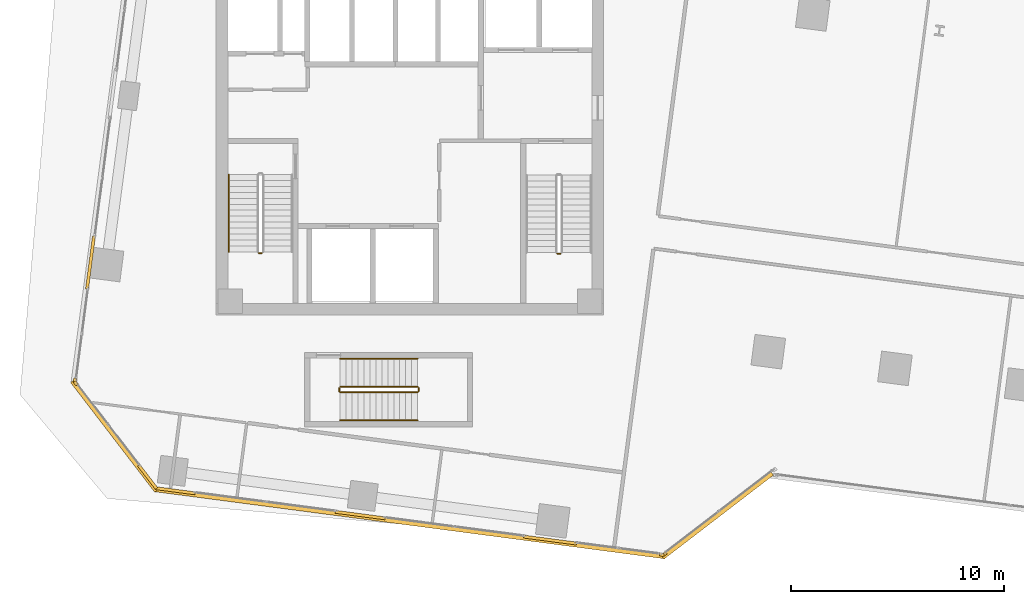
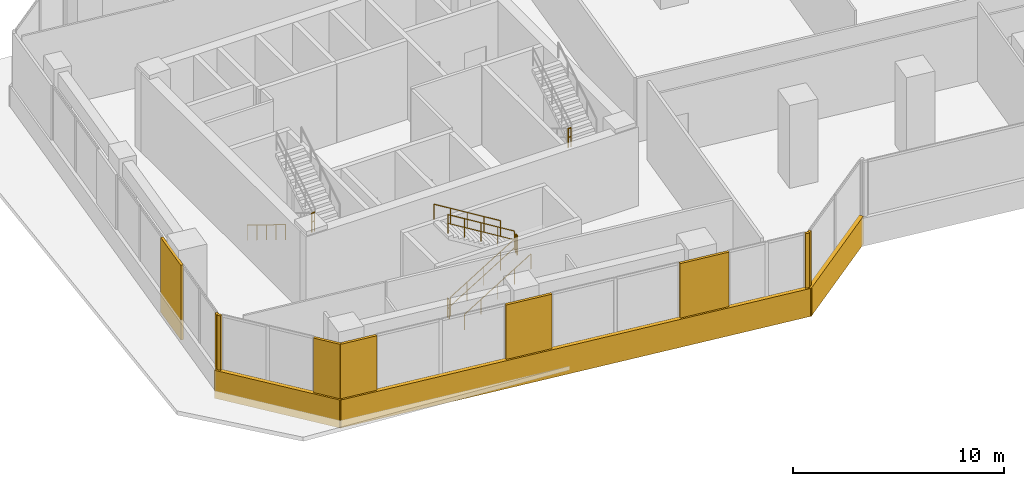
# One storey, part 21 of 24: 12 coverings, 9 railings.
"""IFC4 building model written with IfcOpenShell, lengths in metres."""

from ifc_helpers import new_model, si_unit, direction, frame, origin, origin_2d, place, context, subcontext, project, spatial, rectangle, circle, extrude, source, transform, mapped, material, layer, layer_set, type_object, element, save


model = new_model("IFC4")

# Units and contexts
model_context = context("Model", 3, precision=1e-05, world=origin(), true_north=direction((0.0, 1.0)))
body_context = subcontext(model_context, "Body", "Model", "MODEL_VIEW")
ifc_project = project(units=[si_unit("LENGTHUNIT", "METRE"), si_unit("AREAUNIT", "SQUARE_METRE"), si_unit("VOLUMEUNIT", "CUBIC_METRE"), si_unit("PLANEANGLEUNIT", "RADIAN"), si_unit("MASSUNIT", "GRAM", prefix="KILO")], contexts=[model_context])

# Site, building, storey
site_placement = place(None, origin())
site = spatial("IfcSite", under=ifc_project, at=site_placement, CompositionType="ELEMENT")
building_placement = place(site_placement, origin())
building = spatial("IfcBuilding", under=site, at=building_placement, Name="Torre Montelarca", CompositionType="ELEMENT")
storey_placement = place(building_placement, frame((0.0, 0.0, 61.60009765625)))
storey = spatial("IfcBuildingStorey", under=building, at=storey_placement, Name="L13", CompositionType="ELEMENT", Elevation=61.60009765625)

# Railings
ifc_material_1 = material(Name="Powder-coated steel ASTM A500 Grade C", Category="steel")
railing_type_1 = type_object("IfcRailingType", Name="RL-GUARD-1100", PredefinedType="BALUSTRADE", material=ifc_material_1)
for number, where, name in (
    (1, (10.89990234375, 26.81005859375, 2.39990234375), "L13 ST1 stair guard 2"),
    (2, (24.919921875, 26.780029296875, 2.39990234375), "L13 ST2 stair guard 2"),
):
    element("IfcRailing", number, at=place(storey_placement, frame(where)), inside=storey, type_object=railing_type_1, Name=name, PredefinedType="BALUSTRADE", context=body_context, shape_type="SweptSolid", body=[
        extrude(circle(Radius=0.02392578125, at=origin_2d()), frame((0.0, 0.0, 1.076171875), z_axis=(1.0, 0.0, 0.0), x_axis=(0.0, 1.0, 0.0)), (0.0, 0.0, 1.0), 0.150146484375),
        extrude(circle(Radius=0.02099609375, at=origin_2d()), frame((0.0, 0.0, 0.572021484375), z_axis=(1.0, 0.0, 0.0), x_axis=(0.0, 1.0, 0.0)), (0.0, 0.0, 1.0), 0.150146484375),
        extrude(circle(Radius=0.02099609375, at=origin_2d()), origin(), (0.0, 0.0, 1.0), 1.052001953125),
        extrude(circle(Radius=0.02099609375, at=origin_2d()), frame((0.150146484375, 0.0, 0.0)), (0.0, 0.0, 1.0), 1.052001953125),
    ])
railing_1_placement = place(storey_placement, frame((14.719970703125, 20.27001953125, 0.17138671875)))
element("IfcRailing", 3, at=railing_1_placement, inside=storey, type_object=railing_type_1, Name="L13 ST3 stair guard 1", PredefinedType="BALUSTRADE", context=body_context, shape_type="SweptSolid", body=[
    extrude(circle(Radius=0.02392578125, at=origin_2d()), frame((0.0, 0.0, 1.076171875), z_axis=(0.852865859571, 0.0, 0.52213008492), x_axis=(0.0, 1.0, 0.0)), (0.0, 0.0, 1.0), 4.26806640625),
    extrude(circle(Radius=0.02099609375, at=origin_2d()), frame((0.0, 0.0, 0.572021484375), z_axis=(0.852865859571, 0.0, 0.52213008492), x_axis=(0.0, 1.0, 0.0)), (0.0, 0.0, 1.0), 4.26806640625),
    extrude(circle(Radius=0.02099609375, at=origin_2d()), origin(), (0.0, 0.0, 1.0), 1.052001953125),
    extrude(circle(Radius=0.02099609375, at=origin_2d()), frame((0.91015625, 0.0, 0.55712890625)), (0.0, 0.0, 1.0), 1.052001953125),
    extrude(circle(Radius=0.02099609375, at=origin_2d()), frame((1.820068359375, 0.0, 1.1142578125)), (0.0, 0.0, 1.0), 1.052001953125),
    extrude(circle(Radius=0.02099609375, at=origin_2d()), frame((2.72998046875, 0.0, 1.67138671875)), (0.0, 0.0, 1.0), 1.052001953125),
    extrude(circle(Radius=0.02099609375, at=origin_2d()), frame((3.64013671875, 0.0, 2.228515625)), (0.0, 0.0, 1.0), 1.052001953125),
])
railing_2_placement = place(storey_placement, frame((18.409912109375, 20.320068359375, 2.39990234375)))
element("IfcRailing", 4, at=railing_2_placement, inside=storey, type_object=railing_type_1, Name="L13 ST3 stair guard 2", PredefinedType="BALUSTRADE", context=body_context, shape_type="SweptSolid", body=[
    extrude(circle(Radius=0.02392578125, at=origin_2d()), frame((0.0, 0.0, 1.076171875), z_axis=(0.0, 1.0, 0.0), x_axis=(-1.0, 0.0, 0.0)), (0.0, 0.0, 1.0), 0.14990234375),
    extrude(circle(Radius=0.02099609375, at=origin_2d()), frame((0.0, 0.0, 0.572021484375), z_axis=(0.0, 1.0, 0.0), x_axis=(-1.0, 0.0, 0.0)), (0.0, 0.0, 1.0), 0.14990234375),
    extrude(circle(Radius=0.02099609375, at=origin_2d()), origin(), (0.0, 0.0, 1.0), 1.052001953125),
    extrude(circle(Radius=0.02099609375, at=origin_2d()), frame((0.0, 0.14990234375, 0.0)), (0.0, 0.0, 1.0), 1.052001953125),
])
railing_3_placement = place(storey_placement, frame((18.360107421875, 20.52001953125, 2.5712890625)))
element("IfcRailing", 5, at=railing_3_placement, inside=storey, type_object=railing_type_1, Name="L13 ST3 stair guard 3", PredefinedType="BALUSTRADE", context=body_context, shape_type="SweptSolid", body=[
    extrude(circle(Radius=0.02392578125, at=origin_2d()), frame((0.0, 0.0, 1.076171875), z_axis=(-0.852865859571, 0.0, 0.52213008492), x_axis=(0.0, -1.0, 0.0)), (0.0, 0.0, 1.0), 4.26806640625),
    extrude(circle(Radius=0.02099609375, at=origin_2d()), frame((0.0, 0.0, 0.572021484375), z_axis=(-0.852865859571, 0.0, 0.52213008492), x_axis=(0.0, -1.0, 0.0)), (0.0, 0.0, 1.0), 4.26806640625),
    extrude(circle(Radius=0.02099609375, at=origin_2d()), origin(), (0.0, 0.0, 1.0), 1.052001953125),
    extrude(circle(Radius=0.02099609375, at=origin_2d()), frame((-0.91015625, 0.0, 0.55712890625)), (0.0, 0.0, 1.0), 1.052001953125),
    extrude(circle(Radius=0.02099609375, at=origin_2d()), frame((-1.820068359375, 0.0, 1.1142578125)), (0.0, 0.0, 1.0), 1.052001953125),
    extrude(circle(Radius=0.02099609375, at=origin_2d()), frame((-2.72998046875, 0.0, 1.67138671875)), (0.0, 0.0, 1.0), 1.052001953125),
    extrude(circle(Radius=0.02099609375, at=origin_2d()), frame((-3.64013671875, 0.0, 2.228515625)), (0.0, 0.0, 1.0), 1.052001953125),
])
railing_4_placement = place(storey_placement, frame((14.669921875, 20.320068359375, 0.0)))
element("IfcRailing", 6, at=railing_4_placement, inside=storey, type_object=railing_type_1, Name="L13 ST3 stair guard 4", PredefinedType="BALUSTRADE", context=body_context, shape_type="SweptSolid", body=[
    extrude(circle(Radius=0.02392578125, at=origin_2d()), frame((0.0, 0.0, 1.076171875), z_axis=(0.0, 1.0, 0.0), x_axis=(-1.0, 0.0, 0.0)), (0.0, 0.0, 1.0), 0.14990234375),
    extrude(circle(Radius=0.02099609375, at=origin_2d()), frame((0.0, 0.0, 0.572021484375), z_axis=(0.0, 1.0, 0.0), x_axis=(-1.0, 0.0, 0.0)), (0.0, 0.0, 1.0), 0.14990234375),
    extrude(circle(Radius=0.02099609375, at=origin_2d()), origin(), (0.0, 0.0, 1.0), 1.052001953125),
    extrude(circle(Radius=0.02099609375, at=origin_2d()), frame((0.0, 0.14990234375, 0.0)), (0.0, 0.0, 1.0), 1.052001953125),
])
ifc_material_2 = material(Name="Brushed stainless steel AISI 316", Category="steel")
railing_type_2 = type_object("IfcRailingType", Name="RL-HANDRAIL-900", PredefinedType="HANDRAIL", material=ifc_material_2)
railing_5_placement = place(storey_placement, frame((9.5, 30.5, 0.17138671875)))
element("IfcRailing", 7, at=railing_5_placement, inside=storey, type_object=railing_type_2, Name="L13 ST1 stair handrail 1", PredefinedType="HANDRAIL", context=body_context, shape_type="SweptSolid", body=[
    extrude(circle(Radius=0.02392578125, at=origin_2d()), frame((0.0, 0.0, 0.8759765625), z_axis=(0.0, -0.852850264322, 0.5221555579), x_axis=(1.0, 0.0, 0.0)), (0.0, 0.0, 1.0), 4.267822265625),
    extrude(circle(Radius=0.02099609375, at=origin_2d()), origin(), (0.0, 0.0, 1.0), 0.851806640625),
    extrude(circle(Radius=0.02099609375, at=origin_2d()), frame((0.0, -0.909912109375, 0.55712890625)), (0.0, 0.0, 1.0), 0.851806640625),
    extrude(circle(Radius=0.02099609375, at=origin_2d()), frame((0.0, -1.81982421875, 1.1142578125)), (0.0, 0.0, 1.0), 0.851806640625),
    extrude(circle(Radius=0.02099609375, at=origin_2d()), frame((0.0, -2.72998046875, 1.67138671875)), (0.0, 0.0, 1.0), 0.851806640625),
    extrude(circle(Radius=0.02099609375, at=origin_2d()), frame((0.0, -3.639892578125, 2.228515625)), (0.0, 0.0, 1.0), 0.851806640625),
])
railing_6_placement = place(storey_placement, frame((14.719970703125, 18.949951171875, 0.17138671875)))
element("IfcRailing", 8, at=railing_6_placement, inside=storey, type_object=railing_type_2, Name="L13 ST3 stair handrail 1", PredefinedType="HANDRAIL", context=body_context, shape_type="SweptSolid", body=[
    extrude(circle(Radius=0.02392578125, at=origin_2d()), frame((0.0, 0.0, 0.8759765625), z_axis=(0.852865859571, 0.0, 0.52213008492), x_axis=(0.0, 1.0, 0.0)), (0.0, 0.0, 1.0), 4.26806640625),
    extrude(circle(Radius=0.02099609375, at=origin_2d()), origin(), (0.0, 0.0, 1.0), 0.851806640625),
    extrude(circle(Radius=0.02099609375, at=origin_2d()), frame((0.91015625, 0.0, 0.55712890625)), (0.0, 0.0, 1.0), 0.851806640625),
    extrude(circle(Radius=0.02099609375, at=origin_2d()), frame((1.820068359375, 0.0, 1.1142578125)), (0.0, 0.0, 1.0), 0.851806640625),
    extrude(circle(Radius=0.02099609375, at=origin_2d()), frame((2.72998046875, 0.0, 1.67138671875)), (0.0, 0.0, 1.0), 0.851806640625),
    extrude(circle(Radius=0.02099609375, at=origin_2d()), frame((3.64013671875, 0.0, 2.228515625)), (0.0, 0.0, 1.0), 0.851806640625),
])
railing_7_placement = place(storey_placement, frame((18.360107421875, 21.840087890625, 2.5712890625)))
element("IfcRailing", 9, at=railing_7_placement, inside=storey, type_object=railing_type_2, Name="L13 ST3 stair handrail 2", PredefinedType="HANDRAIL", context=body_context, shape_type="SweptSolid", body=[
    extrude(circle(Radius=0.02392578125, at=origin_2d()), frame((0.0, 0.0, 0.8759765625), z_axis=(-0.852865859571, 0.0, 0.52213008492), x_axis=(0.0, -1.0, 0.0)), (0.0, 0.0, 1.0), 4.26806640625),
    extrude(circle(Radius=0.02099609375, at=origin_2d()), origin(), (0.0, 0.0, 1.0), 0.851806640625),
    extrude(circle(Radius=0.02099609375, at=origin_2d()), frame((-0.91015625, 0.0, 0.55712890625)), (0.0, 0.0, 1.0), 0.851806640625),
    extrude(circle(Radius=0.02099609375, at=origin_2d()), frame((-1.820068359375, 0.0, 1.1142578125)), (0.0, 0.0, 1.0), 0.851806640625),
    extrude(circle(Radius=0.02099609375, at=origin_2d()), frame((-2.72998046875, 0.0, 1.67138671875)), (0.0, 0.0, 1.0), 0.851806640625),
    extrude(circle(Radius=0.02099609375, at=origin_2d()), frame((-3.64013671875, 0.0, 2.228515625)), (0.0, 0.0, 1.0), 0.851806640625),
])

# Coverings
ifc_material_3 = material(Name="Bush-hammered warm white precast concrete C45/55", Category="concrete")
ifc_layer = layer(ifc_material_3, 0.139892578125, Name="Bush-hammered warm white precast concrete C45/55", Category="concrete")
ifc_layer_set = layer_set([ifc_layer], Name="Bush-hammered warm white precast concrete C45/55")
covering_type = type_object("IfcCoveringType", Name="COV-TRAY-CLAD", PredefinedType="CLADDING", material=ifc_layer_set)
shared_shape_1 = source(origin(), body_context, "Body", "SweptSolid", [
    extrude(rectangle(XDim=1.864013671875, YDim=0.139892578125, at=origin_2d()), origin(), (0.0, 0.0, 1.0), 4.320068359375),
])
covering_1_placement = place(storey_placement, frame((6.989013671875, 15.64404296875, 0.0), z_axis=(0.0, 0.0, 1.0), x_axis=(0.99144531699, -0.130522731424, 0.0)))
element("IfcCovering", 10, at=covering_1_placement, inside=storey, type_object=covering_type, Name="L13 Architectural Column Pier Cladding E01-1", PredefinedType="CLADDING", context=body_context, shape_type="MappedRepresentation", body=[
    mapped(shared_shape_1, transform((0.0, 0.0, 0.0), scale=1.0)),
])
shared_shape_2 = source(origin(), body_context, "Body", "SweptSolid", [
    extrude(rectangle(XDim=2.360107421875, YDim=0.139892578125, at=origin_2d()), origin(), (0.0, 0.0, 1.0), 4.320068359375),
])
covering_2_placement = place(storey_placement, frame((15.666015625, 14.501708984375, 0.0), z_axis=(0.0, 0.0, 1.0), x_axis=(0.99144531699, -0.130522731424, 0.0)))
element("IfcCovering", 11, at=covering_2_placement, inside=storey, type_object=covering_type, Name="L13 Architectural Column Pier Cladding E01-2", PredefinedType="CLADDING", context=body_context, shape_type="MappedRepresentation", body=[
    mapped(shared_shape_2, transform((0.0, 0.0, 0.0), scale=1.0)),
])
shared_shape_3 = source(origin(), body_context, "Body", "SweptSolid", [
    extrude(rectangle(XDim=2.510009765625, YDim=0.139892578125, at=origin_2d()), origin(), (0.0, 0.0, 1.0), 4.320068359375),
])
for number, where, z_axis, x_axis, name in (
    (12, (24.589111328125, 13.3271484375, 0.0), (0.0, 0.0, 1.0), (0.99144531699, -0.130522731424, 0.0), "L13 Architectural Column Pier Cladding E01-3"),
    (13, (2.99658203125, 26.366943359375, 0.0), (0.0, 0.0, 1.0), (-0.130527922618, -0.991444633561, 0.0), "L13 Architectural Column Pier Cladding E10-4"),
):
    element("IfcCovering", number, at=place(storey_placement, frame(where, z_axis=z_axis, x_axis=x_axis)), inside=storey, type_object=covering_type, Name=name, PredefinedType="CLADDING", context=body_context, shape_type="MappedRepresentation", body=[
        mapped(shared_shape_3, transform((0.0, 0.0, 0.0), scale=1.0)),
    ])
shared_shape_4 = source(origin(), body_context, "Body", "SweptSolid", [
    extrude(rectangle(XDim=0.199951171875, YDim=0.139892578125, at=origin_2d()), origin(), (0.0, 0.0, 1.0), 4.320068359375),
])
for number, where, z_axis, x_axis, name in (
    (14, (29.828125, 12.637451171875, 0.0), (0.0, 0.0, 1.0), (0.99144531699, -0.130522731424, 0.0), "L13 Architectural Column Pier Cladding E01-4"),
    (15, (29.96826171875, 12.6748046875, 0.0), (0.0, 0.0, 1.0), (0.793349090315, 0.608766967645, 0.0), "L13 Architectural Column Pier Cladding E02-1"),
    (16, (2.267578125, 20.83056640625, 0.0), (0.0, 0.0, 1.0), (-0.130527922618, -0.991444633561, 0.0), "L13 Architectural Column Pier Cladding E10-5"),
    (17, (2.30517578125, 20.6904296875, 0.0), (0.0, 0.0, 1.0), (0.608773890899, -0.793343777791, 0.0), "L13 Architectural Column Pier Cladding E11-1"),
):
    element("IfcCovering", number, at=place(storey_placement, frame(where, z_axis=z_axis, x_axis=x_axis)), inside=storey, type_object=covering_type, Name=name, PredefinedType="CLADDING", context=body_context, shape_type="MappedRepresentation", body=[
        mapped(shared_shape_4, transform((0.0, 0.0, 0.0), scale=1.0)),
    ])
shared_shape_5 = source(origin(), body_context, "Body", "SweptSolid", [
    extrude(rectangle(XDim=24.219970703125, YDim=0.219970703125, at=origin_2d()), origin(), (0.0, 0.0, 1.0), 1.6201171875),
])
covering_3_placement = place(storey_placement, frame((17.98828125, 14.135498046875, -0.4501953125), z_axis=(0.0, 0.0, 1.0), x_axis=(0.99144531699, -0.130522731424, 0.0)))
element("IfcCovering", 18, at=covering_3_placement, inside=storey, type_object=covering_type, Name="L13 Architectural White Spandrel Tray Band TRYBOT-01", PredefinedType="CLADDING", context=body_context, shape_type="MappedRepresentation", body=[
    mapped(shared_shape_5, transform((0.0, 0.0, 0.0), scale=1.0)),
])
shared_shape_6 = source(origin(), body_context, "Body", "SweptSolid", [
    extrude(rectangle(XDim=6.48388671875, YDim=0.219970703125, at=origin_2d()), origin(), (0.0, 0.0, 1.0), 1.6201171875),
])
for number, where, z_axis, x_axis, name in (
    (19, (32.437255859375, 14.493896484375, -0.4501953125), (0.0, 0.0, 1.0), (0.793352277801, 0.608762813671, 0.0), "L13 Architectural White Spandrel Tray Band TRYBOT-02"),
    (20, (4.1240234375, 18.22119140625, -0.4501953125), (0.0, 0.0, 1.0), (0.608765582989, -0.793350152813, 0.0), "L13 Architectural White Spandrel Tray Band TRYBOT-11"),
):
    element("IfcCovering", number, at=place(storey_placement, frame(where, z_axis=z_axis, x_axis=x_axis)), inside=storey, type_object=covering_type, Name=name, PredefinedType="CLADDING", context=body_context, shape_type="MappedRepresentation", body=[
        mapped(shared_shape_6, transform((0.0, 0.0, 0.0), scale=1.0)),
    ])
shared_shape_7 = source(origin(), body_context, "Body", "SweptSolid", [
    extrude(rectangle(XDim=1.376220703125, YDim=0.139892578125, at=origin_2d()), origin(), (0.0, 0.0, 1.0), 4.320068359375),
])
covering_4_placement = place(storey_placement, frame((5.680419921875, 16.2919921875, 0.0), z_axis=(0.0, 0.0, 1.0), x_axis=(0.608773890899, -0.793343777791, 0.0)))
element("IfcCovering", 21, at=covering_4_placement, inside=storey, type_object=covering_type, Name="L13 Architectural Column Pier Cladding E11-2", PredefinedType="CLADDING", context=body_context, shape_type="MappedRepresentation", body=[
    mapped(shared_shape_7, transform((0.0, 0.0, 0.0), scale=1.0)),
])

save(model, "model.ifc")
